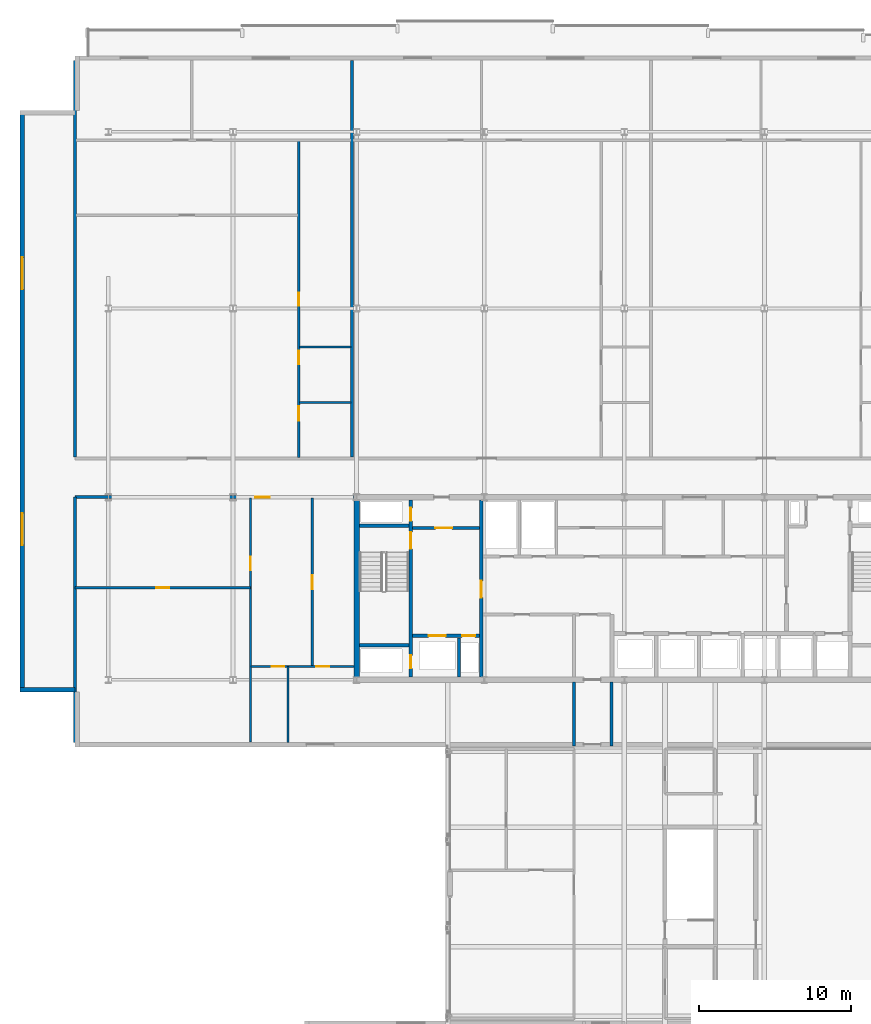
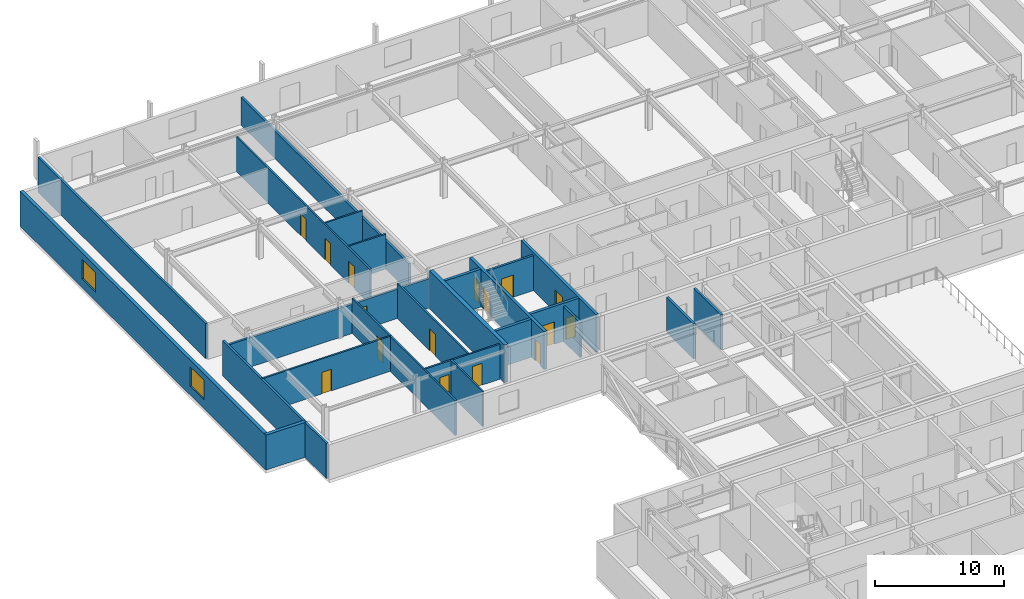
# One storey, part 17 of 28: 24 walls, 16 doors, 2 windows, 18 openings.
"""IFC4 building model written with IfcOpenShell, lengths in metres."""

from ifc_helpers import new_model, si_unit, direction, frame, frame_2d, origin, place, context, subcontext, project, spatial, rectangle, extrude, material, layer, layer_set, type_object, element, fill, save


model = new_model("IFC4")

# Units and contexts
model_context = context("Model", 3, precision=1e-05, world=origin(), true_north=direction((0.0, 1.0)))
body_context = subcontext(model_context, "Body", "Model", "MODEL_VIEW")
ifc_project = project(units=[si_unit("LENGTHUNIT", "METRE"), si_unit("AREAUNIT", "SQUARE_METRE"), si_unit("VOLUMEUNIT", "CUBIC_METRE"), si_unit("PLANEANGLEUNIT", "RADIAN"), si_unit("MASSUNIT", "GRAM", prefix="KILO")], contexts=[model_context])

# Site, building, storey
site_placement = place(None, origin())
site = spatial("IfcSite", under=ifc_project, at=site_placement, CompositionType="ELEMENT")
building_placement = place(site_placement, origin())
building = spatial("IfcBuilding", under=site, at=building_placement, Name="Korimba Cascade Residences", CompositionType="ELEMENT")
storey_placement = place(building_placement, frame((0.0, 0.0, 153.699951171875)))
storey = spatial("IfcBuildingStorey", under=building, at=storey_placement, Name="L44", CompositionType="ELEMENT", Elevation=153.699951171875)

# Wall, openings, windows
ifc_material_1 = material(Name="Precast concrete C40/50", Category="concrete")
ifc_layer_1 = layer(ifc_material_1, 0.300048828125)
ifc_layer_set_1 = layer_set([ifc_layer_1], Name="Precast concrete C40/50")
wall_type_1 = type_object("IfcWallType", Name="EW-STONE-300", PredefinedType="STANDARD", material=ifc_layer_set_1)
wall_1_placement = place(storey_placement, frame((54.14990234375, 92.60009765625, 0.0), z_axis=(0.0, 0.0, 1.0), x_axis=(0.0, -1.0, 0.0)))
wall_1 = element("IfcWall", 1, at=wall_1_placement, inside=storey, type_object=wall_type_1, Name="L44 T1 Perimeter Stone Wall E09", PredefinedType="STANDARD", context=body_context, shape_type="SweptSolid", body=[
    extrude(rectangle(XDim=38.2001953125, YDim=0.300048828125, at=frame_2d((19.10009765625, 0.0))), origin(), (0.0, 0.0, 1.0), 3.320068359375),
])
opening_1_placement = place(wall_1_placement, frame((9.64599609375, 0.0, 0.85009765625)))
opening_1 = element("IfcOpeningElement", 2, at=opening_1_placement, cuts=wall_1, Name="Opening W-03", PredefinedType="OPENING", context=body_context, shape_type="SweptSolid", body=[
    extrude(rectangle(XDim=2.10009765625, YDim=1.85009765625, at=frame_2d((1.050048828125, 0.925048828125))), frame((0.0, 0.16015625, 0.0), z_axis=(0.0, -1.0, 0.0), x_axis=(1.0, 0.0, 0.0)), (0.0, 0.0, 1.0), 0.320068359375),
])
opening_2_placement = place(wall_1_placement, frame((26.4541015625, 0.0, 0.85009765625)))
opening_2 = element("IfcOpeningElement", 3, at=opening_2_placement, cuts=wall_1, Name="Opening W-03", PredefinedType="OPENING", context=body_context, shape_type="SweptSolid", body=[
    extrude(rectangle(XDim=2.10009765625, YDim=1.85009765625, at=frame_2d((1.050048828125, 0.925048828125))), frame((0.0, 0.16015625, 0.0), z_axis=(0.0, -1.0, 0.0), x_axis=(1.0, 0.0, 0.0)), (0.0, 0.0, 1.0), 0.320068359375),
])
ifc_material_2 = material(Name="Double-Glazed Aluminium Window", Category="aluminium")
window_type = type_object("IfcWindowType", Name="WIN-CRN-2100", PartitioningType="DOUBLE_PANEL_HORIZONTAL", PredefinedType="WINDOW", material=ifc_material_2)
window_1_placement = place(opening_1_placement, origin())
window_1 = element("IfcWindow", 4, at=window_1_placement, inside=storey, type_object=window_type, Name="L44 T1 End View Window 9.1", OverallHeight=1.85009765625, OverallWidth=2.10009765625, PartitioningType="DOUBLE_PANEL_HORIZONTAL", PredefinedType="WINDOW", context=body_context, shape_type="SweptSolid", body=[
    extrude(rectangle(XDim=2.10009765625, YDim=1.85009765625, at=frame_2d((1.050048828125, 0.925048828125))), frame((0.0, 0.030029296875, 0.0), z_axis=(0.0, -1.0, 0.0), x_axis=(1.0, 0.0, 0.0)), (0.0, 0.0, 1.0), 0.06005859375),
])
fill(opening_1, window_1)
window_2_placement = place(opening_2_placement, origin())
window_2 = element("IfcWindow", 5, at=window_2_placement, inside=storey, type_object=window_type, Name="L44 T1 End View Window 9.2", OverallHeight=1.85009765625, OverallWidth=2.10009765625, PartitioningType="DOUBLE_PANEL_HORIZONTAL", PredefinedType="WINDOW", context=body_context, shape_type="SweptSolid", body=[
    extrude(rectangle(XDim=2.10009765625, YDim=1.85009765625, at=frame_2d((1.050048828125, 0.925048828125))), frame((0.0, 0.030029296875, 0.0), z_axis=(0.0, -1.0, 0.0), x_axis=(1.0, 0.0, 0.0)), (0.0, 0.0, 1.0), 0.06005859375),
])
fill(opening_2, window_2)

# Walls
wall_2_placement = place(storey_placement, frame((54.0, 54.550048828125, 0.0), z_axis=(0.0, 0.0, 1.0), x_axis=(1.0, 0.0, 0.0)))
element("IfcWall", 6, at=wall_2_placement, inside=storey, type_object=wall_type_1, Name="L44 T1 Perimeter Stone Wall E10", PredefinedType="STANDARD", context=body_context, shape_type="SweptSolid", body=[
    extrude(rectangle(XDim=3.60009765625, YDim=0.300048828125, at=frame_2d((1.800048828125, 0.0))), origin(), (0.0, 0.0, 1.0), 3.320068359375),
])
ifc_material_3 = material(Name="Concrete C65/80", Category="concrete")
ifc_layer_2 = layer(ifc_material_3, 0.35009765625)
ifc_layer_set_2 = layer_set([ifc_layer_2], Name="Concrete C65/80")
wall_type_2 = type_object("IfcWallType", Name="WAL-CORE-350", PredefinedType="SHEAR", material=ifc_layer_set_2)
wall_3_placement = place(storey_placement, frame((76.125, 55.375, 0.0), z_axis=(0.0, 0.0, 1.0), x_axis=(0.0, 1.0, 0.0)))
element("IfcWall", 7, at=wall_3_placement, inside=storey, type_object=wall_type_2, Name="L44 Core Shear Wall CW-L44-T1-W", PredefinedType="SHEAR", context=body_context, shape_type="SweptSolid", body=[
    extrude(rectangle(XDim=11.64990234375, YDim=0.35009765625, at=frame_2d((5.824951171875, 0.0))), origin(), (0.0, 0.0, 1.0), 3.60009765625),
])
ifc_layer_3 = layer(ifc_material_1, 0.199951171875)
ifc_layer_set_3 = layer_set([ifc_layer_3], Name="Precast concrete C40/50")
wall_type_3 = type_object("IfcWallType", Name="WAL-IT-200", PredefinedType="PARTITIONING", material=ifc_layer_set_3)
wall_4_placement = place(storey_placement, frame((57.60009765625, 51.10009765625, 0.0), z_axis=(0.0, 0.0, 1.0), x_axis=(0.0, 1.0, 0.0)))
element("IfcWall", 8, at=wall_4_placement, inside=storey, type_object=wall_type_3, Name="L44 Partition Wall WAL-L44-T1-FW-WL", PredefinedType="PARTITIONING", context=body_context, shape_type="SweptSolid", body=[
    extrude(rectangle(XDim=16.099853515625, YDim=0.199951171875, at=frame_2d((8.0498046875, 0.0))), origin(), (0.0, 0.0, 1.0), 3.320068359375),
])

# Wall, opening, door
wall_5_placement = place(storey_placement, frame((57.60009765625, 67.199951171875, 0.0), z_axis=(0.0, 0.0, 1.0), x_axis=(1.0, 0.0, 0.0)))
wall_5 = element("IfcWall", 9, at=wall_5_placement, inside=storey, type_object=wall_type_3, Name="L44 Partition Wall WAL-L44-T1-FW-N", PredefinedType="PARTITIONING", context=body_context, shape_type="SweptSolid", body=[
    extrude(rectangle(XDim=18.349853515625, YDim=0.199951171875, at=frame_2d((9.1748046875, 0.0))), origin(), (0.0, 0.0, 1.0), 2.783447265625),
])
opening_3_placement = place(wall_5_placement, frame((11.8701171875, 0.0, 0.0)))
opening_3 = element("IfcOpeningElement", 10, at=opening_3_placement, cuts=wall_5, Name="Opening D-UN1", PredefinedType="OPENING", context=body_context, shape_type="SweptSolid", body=[
    extrude(rectangle(XDim=0.949951171875, YDim=2.14990234375, at=frame_2d((0.47509765625, 1.074951171875))), frame((0.0, 0.10986328125, 0.0), z_axis=(0.0, -1.0, 0.0), x_axis=(1.0, 0.0, 0.0)), (0.0, 0.0, 1.0), 0.219970703125),
])
ifc_material_4 = material(Name="Fire-Rated Hardwood Apartment Entrance Door", Category="wood")
door_type_1 = type_object("IfcDoorType", Name="DR-FD60-950", OperationType="NOTDEFINED", PredefinedType="DOOR", material=ifc_material_4)
door_1_placement = place(opening_3_placement, origin())
door_1 = element("IfcDoor", 11, at=door_1_placement, inside=storey, type_object=door_type_1, Name="L44-T1-FW Entrance Door", OperationType="SINGLE_SWING_LEFT", OverallHeight=2.14990234375, OverallWidth=0.949951171875, PredefinedType="DOOR", context=body_context, shape_type="SweptSolid", body=[
    extrude(rectangle(XDim=0.949951171875, YDim=2.14990234375, at=frame_2d((0.47509765625, 1.074951171875))), frame((0.0, 0.02490234375, 0.0), z_axis=(0.0, -1.0, 0.0), x_axis=(1.0, 0.0, 0.0)), (0.0, 0.0, 1.0), 0.050048828125),
])
fill(opening_3, door_1)

# Walls
wall_6_placement = place(storey_placement, frame((57.60009765625, 69.830078125, 0.0), z_axis=(0.0, 0.0, 1.0), x_axis=(0.0, 1.0, 0.0)))
element("IfcWall", 12, at=wall_6_placement, inside=storey, type_object=wall_type_3, Name="L44 Partition Wall WAL-L44-T1-BNDWL", PredefinedType="PARTITIONING", context=body_context, shape_type="SweptSolid", body=[
    extrude(rectangle(XDim=26.06982421875, YDim=0.199951171875, at=frame_2d((13.034912109375, 0.0))), origin(), (0.0, 0.0, 1.0), 3.320068359375),
])
wall_7_placement = place(storey_placement, frame((75.8125, 69.830078125, 0.0), z_axis=(0.0, 0.0, 1.0), x_axis=(0.0, 1.0, 0.0)))
element("IfcWall", 13, at=wall_7_placement, inside=storey, type_object=wall_type_3, Name="L44 Partition Wall WAL-L44-T1-DEM-1", PredefinedType="PARTITIONING", context=body_context, shape_type="SweptSolid", body=[
    extrude(rectangle(XDim=26.06982421875, YDim=0.199951171875, at=frame_2d((13.034912109375, 0.0))), origin(), (0.0, 0.0, 1.0), 2.627197265625),
])

# Wall, opening, door
ifc_material_5 = material(Name="Insulated Acoustic Stud Partition", Category="gypsum")
ifc_layer_4 = layer(ifc_material_5, 0.14990234375)
ifc_layer_set_4 = layer_set([ifc_layer_4], Name="Insulated Acoustic Stud Partition")
wall_type_4 = type_object("IfcWallType", Name="WAL-PART-150", PredefinedType="PARTITIONING", material=ifc_layer_set_4)
wall_8_placement = place(storey_placement, frame((57.60009765625, 61.25, 0.0), z_axis=(0.0, 0.0, 1.0), x_axis=(1.0, 0.0, 0.0)))
wall_8 = element("IfcWall", 14, at=wall_8_placement, inside=storey, type_object=wall_type_4, Name="L44 Partition Wall WAL-L44-T1-FW-STH", PredefinedType="PARTITIONING", context=body_context, shape_type="SweptSolid", body=[
    extrude(rectangle(XDim=11.5498046875, YDim=0.14990234375, at=frame_2d((5.77490234375, 0.0))), origin(), (0.0, 0.0, 1.0), 3.320068359375),
])
opening_4_placement = place(wall_8_placement, frame((5.35498046875, 0.0, 0.0)))
opening_4 = element("IfcOpeningElement", 15, at=opening_4_placement, cuts=wall_8, Name="Opening D-BT1", PredefinedType="OPENING", context=body_context, shape_type="SweptSolid", body=[
    extrude(rectangle(XDim=0.840087890625, YDim=2.0400390625, at=frame_2d((0.419921875, 1.02001953125))), frame((0.0, 0.0849609375, 0.0), z_axis=(0.0, -1.0, 0.0), x_axis=(1.0, 0.0, 0.0)), (0.0, 0.0, 1.0), 0.169921875),
])
ifc_material_6 = material(Name="Moisture-Resistant Bathroom Timber Door", Category="wood")
door_type_2 = type_object("IfcDoorType", Name="DR-INT-850", OperationType="NOTDEFINED", PredefinedType="DOOR", material=ifc_material_6)
door_2_placement = place(opening_4_placement, origin())
door_2 = element("IfcDoor", 16, at=door_2_placement, inside=storey, type_object=door_type_2, Name="L44-T1-FW Dressing Store Door", OperationType="SINGLE_SWING_RIGHT", OverallHeight=2.0400390625, OverallWidth=0.840087890625, PredefinedType="DOOR", context=body_context, shape_type="SweptSolid", body=[
    extrude(rectangle(XDim=0.840087890625, YDim=2.0400390625, at=frame_2d((0.419921875, 1.02001953125))), frame((0.0, 0.02490234375, 0.0), z_axis=(0.0, -1.0, 0.0), x_axis=(1.0, 0.0, 0.0)), (0.0, 0.0, 1.0), 0.050048828125),
])
fill(opening_4, door_2)

wall_9_placement = place(storey_placement, frame((69.14990234375, 51.10009765625, 0.0), z_axis=(0.0, 0.0, 1.0), x_axis=(0.0, 1.0, 0.0)))
wall_9 = element("IfcWall", 17, at=wall_9_placement, inside=storey, type_object=wall_type_4, Name="L44 Partition Wall WAL-L44-T1-FW-STV", PredefinedType="PARTITIONING", context=body_context, shape_type="SweptSolid", body=[
    extrude(rectangle(XDim=16.0498046875, YDim=0.14990234375, at=frame_2d((8.02490234375, 0.0))), origin(), (0.0, 0.0, 1.0), 3.320068359375),
])
opening_5_placement = place(wall_9_placement, frame((11.300048828125, 0.0, 0.0)))
opening_5 = element("IfcOpeningElement", 18, at=opening_5_placement, cuts=wall_9, Name="Opening D-IN2", PredefinedType="OPENING", context=body_context, shape_type="SweptSolid", body=[
    extrude(rectangle(XDim=0.8798828125, YDim=2.06005859375, at=frame_2d((0.43994140625, 1.030029296875))), frame((0.0, 0.0849609375, 0.0), z_axis=(0.0, -1.0, 0.0), x_axis=(1.0, 0.0, 0.0)), (0.0, 0.0, 1.0), 0.169921875),
])
ifc_material_7 = material(Name="Acoustic Timber Bedroom Door", Category="wood")
door_type_3 = type_object("IfcDoorType", Name="DR-INT-880", OperationType="NOTDEFINED", PredefinedType="DOOR", material=ifc_material_7)
door_3_placement = place(opening_5_placement, origin())
door_3 = element("IfcDoor", 19, at=door_3_placement, inside=storey, type_object=door_type_3, Name="L44-T1-FW Study Door", OperationType="SINGLE_SWING_LEFT", OverallHeight=2.06005859375, OverallWidth=0.8798828125, PredefinedType="DOOR", context=body_context, shape_type="SweptSolid", body=[
    extrude(rectangle(XDim=0.8798828125, YDim=2.06005859375, at=frame_2d((0.43994140625, 1.030029296875))), frame((0.0, 0.02490234375, 0.0), z_axis=(0.0, -1.0, 0.0), x_axis=(1.0, 0.0, 0.0)), (0.0, 0.0, 1.0), 0.050048828125),
])
fill(opening_5, door_3)

wall_10_placement = place(storey_placement, frame((73.199951171875, 56.070068359375, 0.0), z_axis=(0.0, 0.0, 1.0), x_axis=(0.0, 1.0, 0.0)))
wall_10 = element("IfcWall", 20, at=wall_10_placement, inside=storey, type_object=wall_type_4, Name="L44 Partition Wall WAL-L44-T1-FW-VN", PredefinedType="PARTITIONING", context=body_context, shape_type="SweptSolid", body=[
    extrude(rectangle(XDim=11.079833984375, YDim=0.14990234375, at=frame_2d((5.5400390625, 0.0))), origin(), (0.0, 0.0, 1.0), 3.320068359375),
])
opening_6_placement = place(wall_10_placement, frame((5.080078125, 0.0, 0.0)))
opening_6 = element("IfcOpeningElement", 21, at=opening_6_placement, cuts=wall_10, Name="Opening D-IN1", PredefinedType="OPENING", context=body_context, shape_type="SweptSolid", body=[
    extrude(rectangle(XDim=0.919921875, YDim=2.080078125, at=frame_2d((0.4599609375, 1.0400390625))), frame((0.0, 0.0849609375, 0.0), z_axis=(0.0, -1.0, 0.0), x_axis=(1.0, 0.0, 0.0)), (0.0, 0.0, 1.0), 0.169921875),
])
ifc_material_8 = material(Name="Acoustic Timber Living Door", Category="wood")
door_type_4 = type_object("IfcDoorType", Name="DR-INT-920", OperationType="NOTDEFINED", PredefinedType="DOOR", material=ifc_material_8)
door_4_placement = place(opening_6_placement, origin())
door_4 = element("IfcDoor", 22, at=door_4_placement, inside=storey, type_object=door_type_4, Name="L44-T1-FW Living Door", OperationType="SINGLE_SWING_RIGHT", OverallHeight=2.080078125, OverallWidth=0.919921875, PredefinedType="DOOR", context=body_context, shape_type="SweptSolid", body=[
    extrude(rectangle(XDim=0.919921875, YDim=2.080078125, at=frame_2d((0.4599609375, 1.0400390625))), frame((0.0, 0.02490234375, 0.0), z_axis=(0.0, -1.0, 0.0), x_axis=(1.0, 0.0, 0.0)), (0.0, 0.0, 1.0), 0.050048828125),
])
fill(opening_6, door_4)

# Wall
wall_11_placement = place(storey_placement, frame((71.60009765625, 51.10009765625, 0.0), z_axis=(0.0, 0.0, 1.0), x_axis=(0.0, 1.0, 0.0)))
element("IfcWall", 23, at=wall_11_placement, inside=storey, type_object=wall_type_4, Name="L44 Partition Wall WAL-L44-T1-FW-VS", PredefinedType="PARTITIONING", context=body_context, shape_type="SweptSolid", body=[
    extrude(rectangle(XDim=4.969970703125, YDim=0.14990234375, at=frame_2d((2.48486328125, 0.0))), origin(), (0.0, 0.0, 1.0), 3.320068359375),
])

# Wall, openings, doors
wall_12_placement = place(storey_placement, frame((69.169921875, 56.070068359375, 0.0), z_axis=(0.0, 0.0, 1.0), x_axis=(1.0, 0.0, 0.0)))
wall_12 = element("IfcWall", 24, at=wall_12_placement, inside=storey, type_object=wall_type_4, Name="L44 Partition Wall WAL-L44-T1-FW-H", PredefinedType="PARTITIONING", context=body_context, shape_type="SweptSolid", body=[
    extrude(rectangle(XDim=6.760009765625, YDim=0.14990234375, at=frame_2d((3.3798828125, 0.0))), origin(), (0.0, 0.0, 1.0), 3.320068359375),
])
opening_7_placement = place(wall_12_placement, frame((1.3623046875, 0.0, 0.0)))
opening_7 = element("IfcOpeningElement", 25, at=opening_7_placement, cuts=wall_12, Name="Opening D-BT1", PredefinedType="OPENING", context=body_context, shape_type="SweptSolid", body=[
    extrude(rectangle(XDim=0.840087890625, YDim=2.0400390625, at=frame_2d((0.419921875, 1.02001953125))), frame((0.0, 0.0849609375, 0.0), z_axis=(0.0, -1.0, 0.0), x_axis=(1.0, 0.0, 0.0)), (0.0, 0.0, 1.0), 0.169921875),
])
opening_8_placement = place(wall_12_placement, frame((4.276611328125, 0.0, 0.0)))
opening_8 = element("IfcOpeningElement", 26, at=opening_8_placement, cuts=wall_12, Name="Opening D-IN2", PredefinedType="OPENING", context=body_context, shape_type="SweptSolid", body=[
    extrude(rectangle(XDim=0.8798828125, YDim=2.06005859375, at=frame_2d((0.43994140625, 1.030029296875))), frame((0.0, 0.0849609375, 0.0), z_axis=(0.0, -1.0, 0.0), x_axis=(1.0, 0.0, 0.0)), (0.0, 0.0, 1.0), 0.169921875),
])
door_5_placement = place(opening_7_placement, origin())
door_5 = element("IfcDoor", 27, at=door_5_placement, inside=storey, type_object=door_type_2, Name="L44-T1-FW Bathroom Door", OperationType="SINGLE_SWING_LEFT", OverallHeight=2.0400390625, OverallWidth=0.840087890625, PredefinedType="DOOR", context=body_context, shape_type="SweptSolid", body=[
    extrude(rectangle(XDim=0.840087890625, YDim=2.0400390625, at=frame_2d((0.419921875, 1.02001953125))), frame((0.0, 0.02490234375, 0.0), z_axis=(0.0, -1.0, 0.0), x_axis=(1.0, 0.0, 0.0)), (0.0, 0.0, 1.0), 0.050048828125),
])
fill(opening_7, door_5)
door_6_placement = place(opening_8_placement, origin())
door_6 = element("IfcDoor", 28, at=door_6_placement, inside=storey, type_object=door_type_3, Name="L44-T1-FW Bedroom Door", OperationType="SINGLE_SWING_RIGHT", OverallHeight=2.06005859375, OverallWidth=0.8798828125, PredefinedType="DOOR", context=body_context, shape_type="SweptSolid", body=[
    extrude(rectangle(XDim=0.8798828125, YDim=2.06005859375, at=frame_2d((0.43994140625, 1.030029296875))), frame((0.0, 0.02490234375, 0.0), z_axis=(0.0, -1.0, 0.0), x_axis=(1.0, 0.0, 0.0)), (0.0, 0.0, 1.0), 0.050048828125),
])
fill(opening_8, door_6)

# Walls
for number, where, z_axis, x_axis, name in (
    (29, (72.37255859375, 73.419921875, 0.0), (0.0, 0.0, 1.0), (1.0, 0.0, 0.0), "L44 Partition Wall WAL-L44-T1-U01-WCH"),
    (30, (72.37255859375, 77.070068359375, 0.0), (0.0, 0.0, 1.0), (1.0, 0.0, 0.0), "L44 Partition Wall WAL-L44-T1-U01-WCH2"),
):
    element("IfcWall", number, at=place(storey_placement, frame(where, z_axis=z_axis, x_axis=x_axis)), inside=storey, type_object=wall_type_4, Name=name, PredefinedType="PARTITIONING", context=body_context, shape_type="SweptSolid", body=[
        extrude(rectangle(XDim=3.35986328125, YDim=0.14990234375, at=frame_2d((1.679931640625, 0.0))), origin(), (0.0, 0.0, 1.0), 3.320068359375),
    ])

# Wall, openings, doors
wall_13_placement = place(storey_placement, frame((72.3125, 69.81005859375, 0.0), z_axis=(0.0, 0.0, 1.0), x_axis=(0.0, 1.0, 0.0)))
wall_13 = element("IfcWall", 31, at=wall_13_placement, inside=storey, type_object=wall_type_4, Name="L44 Partition Wall WAL-L44-T1-U01-WCV", PredefinedType="PARTITIONING", context=body_context, shape_type="SweptSolid", body=[
    extrude(rectangle(XDim=20.780029296875, YDim=0.14990234375, at=frame_2d((10.39013671875, 0.0))), origin(), (0.0, 0.0, 1.0), 3.320068359375),
])
opening_9_placement = place(wall_13_placement, frame((2.406005859375, 0.0, 0.0)))
opening_9 = element("IfcOpeningElement", 32, at=opening_9_placement, cuts=wall_13, Name="Opening D-AC1", PredefinedType="OPENING", context=body_context, shape_type="SweptSolid", body=[
    extrude(rectangle(XDim=0.9599609375, YDim=2.10009765625, at=frame_2d((0.47998046875, 1.050048828125))), frame((0.0, 0.0849609375, 0.0), z_axis=(0.0, -1.0, 0.0), x_axis=(1.0, 0.0, 0.0)), (0.0, 0.0, 1.0), 0.169921875),
])
opening_10_placement = place(wall_13_placement, frame((6.132568359375, 0.0, 0.0)))
opening_10 = element("IfcOpeningElement", 33, at=opening_10_placement, cuts=wall_13, Name="Opening D-IN2", PredefinedType="OPENING", context=body_context, shape_type="SweptSolid", body=[
    extrude(rectangle(XDim=0.8798828125, YDim=2.06005859375, at=frame_2d((0.43994140625, 1.030029296875))), frame((0.0, 0.0849609375, 0.0), z_axis=(0.0, -1.0, 0.0), x_axis=(1.0, 0.0, 0.0)), (0.0, 0.0, 1.0), 0.169921875),
])
opening_11_placement = place(wall_13_placement, frame((9.969970703125, 0.0, 0.0)))
opening_11 = element("IfcOpeningElement", 34, at=opening_11_placement, cuts=wall_13, Name="Opening D-BT1", PredefinedType="OPENING", context=body_context, shape_type="SweptSolid", body=[
    extrude(rectangle(XDim=0.840087890625, YDim=2.0400390625, at=frame_2d((0.419921875, 1.02001953125))), frame((0.0, 0.0849609375, 0.0), z_axis=(0.0, -1.0, 0.0), x_axis=(1.0, 0.0, 0.0)), (0.0, 0.0, 1.0), 0.169921875),
])
ifc_material_9 = material(Name="Accessible Acoustic Timber WC Door", Category="wood")
door_type_5 = type_object("IfcDoorType", Name="DR-ACC-950", OperationType="NOTDEFINED", PredefinedType="DOOR", material=ifc_material_9)
door_7_placement = place(opening_9_placement, origin())
door_7 = element("IfcDoor", 35, at=door_7_placement, inside=storey, type_object=door_type_5, Name="L44-T1-U01 Accessible WC Door", OperationType="SINGLE_SWING_LEFT", OverallHeight=2.10009765625, OverallWidth=0.9599609375, PredefinedType="DOOR", context=body_context, shape_type="SweptSolid", body=[
    extrude(rectangle(XDim=0.9599609375, YDim=2.10009765625, at=frame_2d((0.47998046875, 1.050048828125))), frame((0.0, 0.02490234375, 0.0), z_axis=(0.0, -1.0, 0.0), x_axis=(1.0, 0.0, 0.0)), (0.0, 0.0, 1.0), 0.050048828125),
])
fill(opening_9, door_7)
door_8_placement = place(opening_11_placement, origin())
door_8 = element("IfcDoor", 36, at=door_8_placement, inside=storey, type_object=door_type_2, Name="L44-T1-U01 Suite Store Door", OperationType="SINGLE_SWING_LEFT", OverallHeight=2.0400390625, OverallWidth=0.840087890625, PredefinedType="DOOR", context=body_context, shape_type="SweptSolid", body=[
    extrude(rectangle(XDim=0.840087890625, YDim=2.0400390625, at=frame_2d((0.419921875, 1.02001953125))), frame((0.0, 0.02490234375, 0.0), z_axis=(0.0, -1.0, 0.0), x_axis=(1.0, 0.0, 0.0)), (0.0, 0.0, 1.0), 0.050048828125),
])
fill(opening_11, door_8)
door_9_placement = place(opening_10_placement, origin())
door_9 = element("IfcDoor", 37, at=door_9_placement, inside=storey, type_object=door_type_3, Name="L44-T1-U01 Restroom WC Door", OperationType="SINGLE_SWING_RIGHT", OverallHeight=2.06005859375, OverallWidth=0.8798828125, PredefinedType="DOOR", context=body_context, shape_type="SweptSolid", body=[
    extrude(rectangle(XDim=0.8798828125, YDim=2.06005859375, at=frame_2d((0.43994140625, 1.030029296875))), frame((0.0, 0.02490234375, 0.0), z_axis=(0.0, -1.0, 0.0), x_axis=(1.0, 0.0, 0.0)), (0.0, 0.0, 1.0), 0.050048828125),
])
fill(opening_10, door_9)

# Wall
ifc_material_10 = material(Name="Concrete C40/50", Category="concrete")
ifc_layer_5 = layer(ifc_material_10, 0.199951171875)
ifc_layer_set_5 = layer_set([ifc_layer_5], Name="Concrete C40/50")
wall_type_5 = type_object("IfcWallType", Name="WAL-PART-200", PredefinedType="PARTITIONING", material=ifc_layer_set_5)
wall_14_placement = place(storey_placement, frame((82.85009765625, 55.39990234375, 0.0), z_axis=(0.0, 0.0, 1.0), x_axis=(0.0, 1.0, 0.0)))
element("IfcWall", 38, at=wall_14_placement, inside=storey, type_object=wall_type_5, Name="L44 Partition Wall CW-L44-T1-FFLDIV", PredefinedType="PARTITIONING", context=body_context, shape_type="SweptSolid", body=[
    extrude(rectangle(XDim=2.56005859375, YDim=0.199951171875, at=frame_2d((1.280029296875, 0.0))), origin(), (0.0, 0.0, 1.0), 3.320068359375),
])

# Wall, opening, door
wall_15_placement = place(storey_placement, frame((79.7900390625, 65.179931640625, 0.0), z_axis=(0.0, 0.0, 1.0), x_axis=(1.0, 0.0, 0.0)))
wall_15 = element("IfcWall", 39, at=wall_15_placement, inside=storey, type_object=wall_type_5, Name="L44 Partition Wall CW-L44-T1-FFLN", PredefinedType="PARTITIONING", context=body_context, shape_type="SweptSolid", body=[
    extrude(rectangle(XDim=4.389892578125, YDim=0.199951171875, at=frame_2d((2.19482421875, 0.0))), origin(), (0.0, 0.0, 1.0), 3.320068359375),
])
opening_12_placement = place(wall_15_placement, frame((1.5, 0.0, 0.0)))
opening_12 = element("IfcOpeningElement", 40, at=opening_12_placement, cuts=wall_15, Name="Opening D-FD1", PredefinedType="OPENING", context=body_context, shape_type="SweptSolid", body=[
    extrude(rectangle(XDim=1.10009765625, YDim=2.10009765625, at=frame_2d((0.550048828125, 1.050048828125))), frame((0.0, 0.10986328125, 0.0), z_axis=(0.0, -1.0, 0.0), x_axis=(1.0, 0.0, 0.0)), (0.0, 0.0, 1.0), 0.219970703125),
])
ifc_material_11 = material(Name="Fire-Rated Steel Core Door", Category="steel")
door_type_6 = type_object("IfcDoorType", Name="DR-FD120-1100", OperationType="NOTDEFINED", PredefinedType="DOOR", material=ifc_material_11)
door_10_placement = place(opening_12_placement, origin())
door_10 = element("IfcDoor", 41, at=door_10_placement, inside=storey, type_object=door_type_6, Name="L44 West Firefighting Lobby Door", OperationType="SINGLE_SWING_LEFT", OverallHeight=2.10009765625, OverallWidth=1.10009765625, PredefinedType="DOOR", context=body_context, shape_type="SweptSolid", body=[
    extrude(rectangle(XDim=1.10009765625, YDim=2.10009765625, at=frame_2d((0.550048828125, 1.050048828125))), frame((0.0, 0.02490234375, 0.0), z_axis=(0.0, -1.0, 0.0), x_axis=(1.0, 0.0, 0.0)), (0.0, 0.0, 1.0), 0.050048828125),
])
fill(opening_12, door_10)

# Walls
for number, where, z_axis, x_axis, name in (
    (42, (90.39990234375, 50.85009765625, 0.0), (0.0, 0.0, 1.0), (0.0, 1.0, 0.0), "L44 Partition Wall WAL-L44-T1-SBRGW"),
    (43, (92.85009765625, 50.85009765625, 0.0), (0.0, 0.0, 1.0), (0.0, 1.0, 0.0), "L44 Partition Wall WAL-L44-T1-SBRGE"),
):
    element("IfcWall", number, at=place(storey_placement, frame(where, z_axis=z_axis, x_axis=x_axis)), inside=storey, type_object=wall_type_5, Name=name, PredefinedType="PARTITIONING", context=body_context, shape_type="SweptSolid", body=[
        extrude(rectangle(XDim=4.199951171875, YDim=0.199951171875, at=frame_2d((2.10009765625, 0.0))), origin(), (0.0, 0.0, 1.0), 3.320068359375),
    ])

# Wall, openings, doors
ifc_material_12 = material(Name="Concrete C50/60", Category="concrete")
ifc_layer_6 = layer(ifc_material_12, 0.25)
ifc_layer_set_6 = layer_set([ifc_layer_6], Name="Concrete C50/60")
wall_type_6 = type_object("IfcWallType", Name="WAL-SHAFT-250", PredefinedType="SHEAR", material=ifc_layer_set_6)
wall_16_placement = place(storey_placement, frame((79.6650390625, 55.39990234375, 0.0), z_axis=(0.0, 0.0, 1.0), x_axis=(0.0, 1.0, 0.0)))
wall_16 = element("IfcWall", 44, at=wall_16_placement, inside=storey, type_object=wall_type_6, Name="L44 Core Shear Wall CW-L44-T1-STW1E", PredefinedType="SHEAR", context=body_context, shape_type="SweptSolid", body=[
    extrude(rectangle(XDim=11.60009765625, YDim=0.25, at=frame_2d((5.800048828125, 0.0))), origin(), (0.0, 0.0, 1.0), 3.60009765625),
])
opening_13_placement = place(wall_16_placement, frame((0.550048828125, 0.0, 0.0)))
opening_13 = element("IfcOpeningElement", 45, at=opening_13_placement, cuts=wall_16, Name="Opening D-RS1", PredefinedType="OPENING", context=body_context, shape_type="SweptSolid", body=[
    extrude(rectangle(XDim=0.85009765625, YDim=2.050048828125, at=frame_2d((0.425048828125, 1.02490234375))), frame((0.0, 0.135009765625, 0.0), z_axis=(0.0, -1.0, 0.0), x_axis=(1.0, 0.0, 0.0)), (0.0, 0.0, 1.0), 0.27001953125),
])
opening_14_placement = place(wall_16_placement, frame((8.39990234375, 0.0, 0.0)))
opening_14 = element("IfcOpeningElement", 46, at=opening_14_placement, cuts=wall_16, Name="Opening D-FD1", PredefinedType="OPENING", context=body_context, shape_type="SweptSolid", body=[
    extrude(rectangle(XDim=1.10009765625, YDim=2.10009765625, at=frame_2d((0.550048828125, 1.050048828125))), frame((0.0, 0.135009765625, 0.0), z_axis=(0.0, -1.0, 0.0), x_axis=(1.0, 0.0, 0.0)), (0.0, 0.0, 1.0), 0.27001953125),
])
opening_15_placement = place(wall_16_placement, frame((10.25, 0.0, 0.0)))
opening_15 = element("IfcOpeningElement", 47, at=opening_15_placement, cuts=wall_16, Name="Opening D-RS1", PredefinedType="OPENING", context=body_context, shape_type="SweptSolid", body=[
    extrude(rectangle(XDim=0.85009765625, YDim=2.050048828125, at=frame_2d((0.425048828125, 1.02490234375))), frame((0.0, 0.135009765625, 0.0), z_axis=(0.0, -1.0, 0.0), x_axis=(1.0, 0.0, 0.0)), (0.0, 0.0, 1.0), 0.27001953125),
])
door_11_placement = place(opening_14_placement, origin())
door_11 = element("IfcDoor", 48, at=door_11_placement, inside=storey, type_object=door_type_6, Name="L44 Fire Stair ST-W1 Door", OperationType="SINGLE_SWING_RIGHT", OverallHeight=2.10009765625, OverallWidth=1.10009765625, PredefinedType="DOOR", context=body_context, shape_type="SweptSolid", body=[
    extrude(rectangle(XDim=1.10009765625, YDim=2.10009765625, at=frame_2d((0.550048828125, 1.050048828125))), frame((0.0, 0.02490234375, 0.0), z_axis=(0.0, -1.0, 0.0), x_axis=(1.0, 0.0, 0.0)), (0.0, 0.0, 1.0), 0.050048828125),
])
fill(opening_14, door_11)
ifc_material_13 = material(Name="Fire-Rated Steel Riser Access Door", Category="steel")
door_type_7 = type_object("IfcDoorType", Name="DR-FD60-850", OperationType="NOTDEFINED", PredefinedType="DOOR", material=ifc_material_13)
door_12_placement = place(opening_13_placement, origin())
door_12 = element("IfcDoor", 49, at=door_12_placement, inside=storey, type_object=door_type_7, Name="L44 Smoke Riser Access Door", OperationType="SINGLE_SWING_LEFT", OverallHeight=2.050048828125, OverallWidth=0.85009765625, PredefinedType="DOOR", context=body_context, shape_type="SweptSolid", body=[
    extrude(rectangle(XDim=0.85009765625, YDim=2.050048828125, at=frame_2d((0.425048828125, 1.02490234375))), frame((0.0, 0.02490234375, 0.0), z_axis=(0.0, -1.0, 0.0), x_axis=(1.0, 0.0, 0.0)), (0.0, 0.0, 1.0), 0.050048828125),
])
fill(opening_13, door_12)
door_13_placement = place(opening_15_placement, origin())
door_13 = element("IfcDoor", 50, at=door_13_placement, inside=storey, type_object=door_type_7, Name="L44 Hydrant Riser Access Door", OperationType="SINGLE_SWING_LEFT", OverallHeight=2.050048828125, OverallWidth=0.85009765625, PredefinedType="DOOR", context=body_context, shape_type="SweptSolid", body=[
    extrude(rectangle(XDim=0.85009765625, YDim=2.050048828125, at=frame_2d((0.425048828125, 1.02490234375))), frame((0.0, 0.02490234375, 0.0), z_axis=(0.0, -1.0, 0.0), x_axis=(1.0, 0.0, 0.0)), (0.0, 0.0, 1.0), 0.050048828125),
])
fill(opening_15, door_13)

# Walls
for number, where, z_axis, x_axis, name in (
    (51, (76.300048828125, 57.47509765625, 0.0), (0.0, 0.0, 1.0), (1.0, 0.0, 0.0), "L44 Core Shear Wall CW-L44-T1-STW1S"),
    (52, (76.300048828125, 65.324951171875, 0.0), (0.0, 0.0, 1.0), (1.0, 0.0, 0.0), "L44 Core Shear Wall CW-L44-T1-STW1N"),
):
    element("IfcWall", number, at=place(storey_placement, frame(where, z_axis=z_axis, x_axis=x_axis)), inside=storey, type_object=wall_type_6, Name=name, PredefinedType="SHEAR", context=body_context, shape_type="SweptSolid", body=[
        extrude(rectangle(XDim=3.239990234375, YDim=0.25, at=frame_2d((1.6201171875, 0.0))), origin(), (0.0, 0.0, 1.0), 3.60009765625),
    ])

# Wall, openings, doors
wall_17_placement = place(storey_placement, frame((79.7900390625, 58.10009765625, 0.0), z_axis=(0.0, 0.0, 1.0), x_axis=(1.0, 0.0, 0.0)))
wall_17 = element("IfcWall", 53, at=wall_17_placement, inside=storey, type_object=wall_type_6, Name="L44 Core Shear Wall CW-L44-T1-FFLS", PredefinedType="SHEAR", context=body_context, shape_type="SweptSolid", body=[
    extrude(rectangle(XDim=4.389892578125, YDim=0.25, at=frame_2d((2.19482421875, 0.0))), origin(), (0.0, 0.0, 1.0), 3.60009765625),
])
opening_16_placement = place(wall_17_placement, frame((1.050048828125, 0.0, 0.0)))
opening_16 = element("IfcOpeningElement", 54, at=opening_16_placement, cuts=wall_17, Name="Opening LD-01", PredefinedType="OPENING", context=body_context, shape_type="SweptSolid", body=[
    extrude(rectangle(XDim=1.1201171875, YDim=2.1201171875, at=frame_2d((0.56005859375, 1.06005859375))), frame((0.0, 0.135009765625, 0.0), z_axis=(0.0, -1.0, 0.0), x_axis=(1.0, 0.0, 0.0)), (0.0, 0.0, 1.0), 0.27001953125),
])
opening_17_placement = place(wall_17_placement, frame((3.260009765625, 0.0, 0.0)))
opening_17 = element("IfcOpeningElement", 55, at=opening_17_placement, cuts=wall_17, Name="Opening D-RS1", PredefinedType="OPENING", context=body_context, shape_type="SweptSolid", body=[
    extrude(rectangle(XDim=0.85009765625, YDim=2.050048828125, at=frame_2d((0.425048828125, 1.02490234375))), frame((0.0, 0.135009765625, 0.0), z_axis=(0.0, -1.0, 0.0), x_axis=(1.0, 0.0, 0.0)), (0.0, 0.0, 1.0), 0.27001953125),
])
door_14_placement = place(opening_17_placement, origin())
door_14 = element("IfcDoor", 56, at=door_14_placement, inside=storey, type_object=door_type_7, Name="L44 Pressurisation Riser Door", OperationType="SINGLE_SWING_RIGHT", OverallHeight=2.050048828125, OverallWidth=0.85009765625, PredefinedType="DOOR", context=body_context, shape_type="SweptSolid", body=[
    extrude(rectangle(XDim=0.85009765625, YDim=2.050048828125, at=frame_2d((0.425048828125, 1.02490234375))), frame((0.0, 0.02490234375, 0.0), z_axis=(0.0, -1.0, 0.0), x_axis=(1.0, 0.0, 0.0)), (0.0, 0.0, 1.0), 0.050048828125),
])
fill(opening_17, door_14)
ifc_material_14 = material(Name="Stainless Steel Lift Landing Sliding Door", Category="steel")
door_type_8 = type_object("IfcDoorType", Name="DR-LIFT-1100", OperationType="NOTDEFINED", PredefinedType="DOOR", material=ifc_material_14)
door_15_placement = place(opening_16_placement, origin())
door_15 = element("IfcDoor", 57, at=door_15_placement, inside=storey, type_object=door_type_8, Name="L44 Firefighting Lift Landing Door FFL-W1", OperationType="SLIDING_TO_LEFT", OverallHeight=2.1201171875, OverallWidth=1.1201171875, PredefinedType="DOOR", context=body_context, shape_type="SweptSolid", body=[
    extrude(rectangle(XDim=1.1201171875, YDim=2.1201171875, at=frame_2d((0.56005859375, 1.06005859375))), frame((0.0, 0.02490234375, 0.0), z_axis=(0.0, -1.0, 0.0), x_axis=(1.0, 0.0, 0.0)), (0.0, 0.0, 1.0), 0.050048828125),
])
fill(opening_16, door_15)

# Wall, opening, door
wall_18_placement = place(storey_placement, frame((84.300048828125, 55.39990234375, 0.0), z_axis=(0.0, 0.0, 1.0), x_axis=(0.0, 1.0, 0.0)))
wall_18 = element("IfcWall", 58, at=wall_18_placement, inside=storey, type_object=wall_type_6, Name="L44 Core Shear Wall CW-L44-T1-FFLE", PredefinedType="SHEAR", context=body_context, shape_type="SweptSolid", body=[
    extrude(rectangle(XDim=11.60009765625, YDim=0.25, at=frame_2d((5.800048828125, 0.0))), origin(), (0.0, 0.0, 1.0), 3.60009765625),
])
opening_18_placement = place(wall_18_placement, frame((5.199951171875, 0.0, 0.0)))
opening_18 = element("IfcOpeningElement", 59, at=opening_18_placement, cuts=wall_18, Name="Opening D-FD1", PredefinedType="OPENING", context=body_context, shape_type="SweptSolid", body=[
    extrude(rectangle(XDim=1.10009765625, YDim=2.10009765625, at=frame_2d((0.550048828125, 1.050048828125))), frame((0.0, 0.135009765625, 0.0), z_axis=(0.0, -1.0, 0.0), x_axis=(1.0, 0.0, 0.0)), (0.0, 0.0, 1.0), 0.27001953125),
])
door_16_placement = place(opening_18_placement, origin())
door_16 = element("IfcDoor", 60, at=door_16_placement, inside=storey, type_object=door_type_6, Name="L44 Firefighting Lobby to Lift Lobby Door", OperationType="SINGLE_SWING_RIGHT", OverallHeight=2.10009765625, OverallWidth=1.10009765625, PredefinedType="DOOR", context=body_context, shape_type="SweptSolid", body=[
    extrude(rectangle(XDim=1.10009765625, YDim=2.10009765625, at=frame_2d((0.550048828125, 1.050048828125))), frame((0.0, 0.02490234375, 0.0), z_axis=(0.0, -1.0, 0.0), x_axis=(1.0, 0.0, 0.0)), (0.0, 0.0, 1.0), 0.050048828125),
])
fill(opening_18, door_16)

save(model, "model.ifc")
